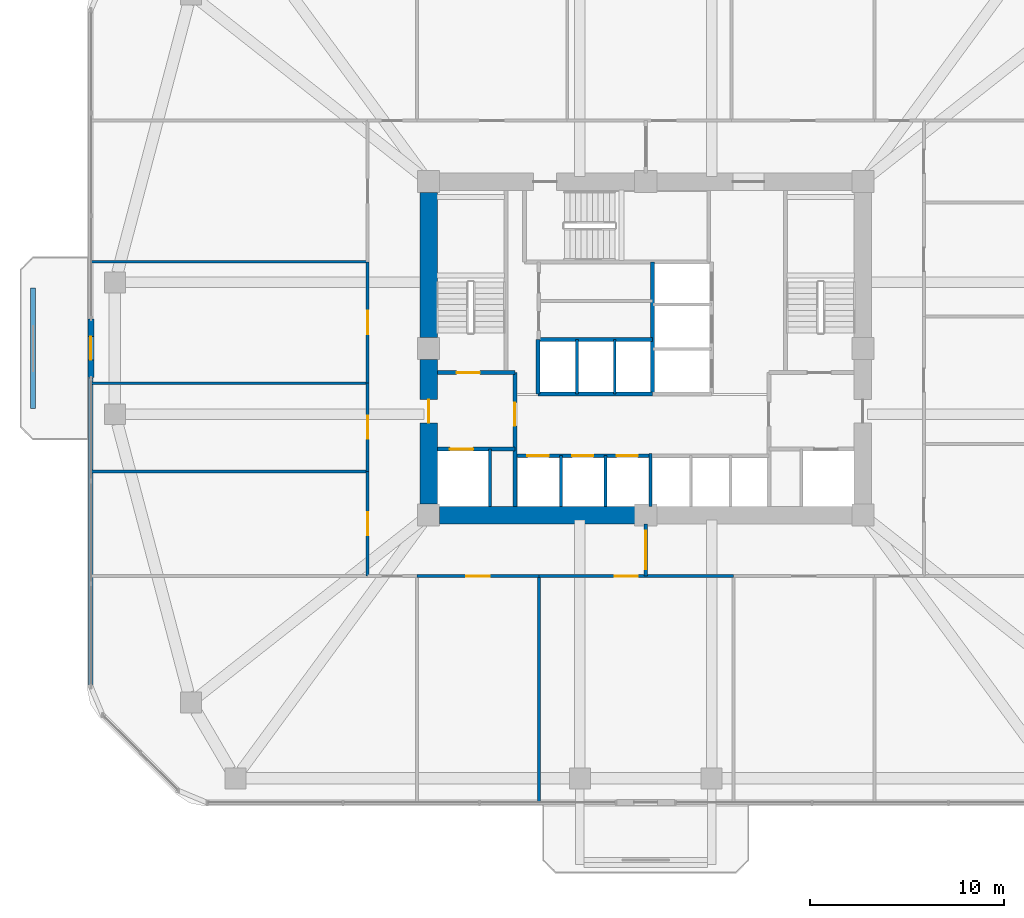
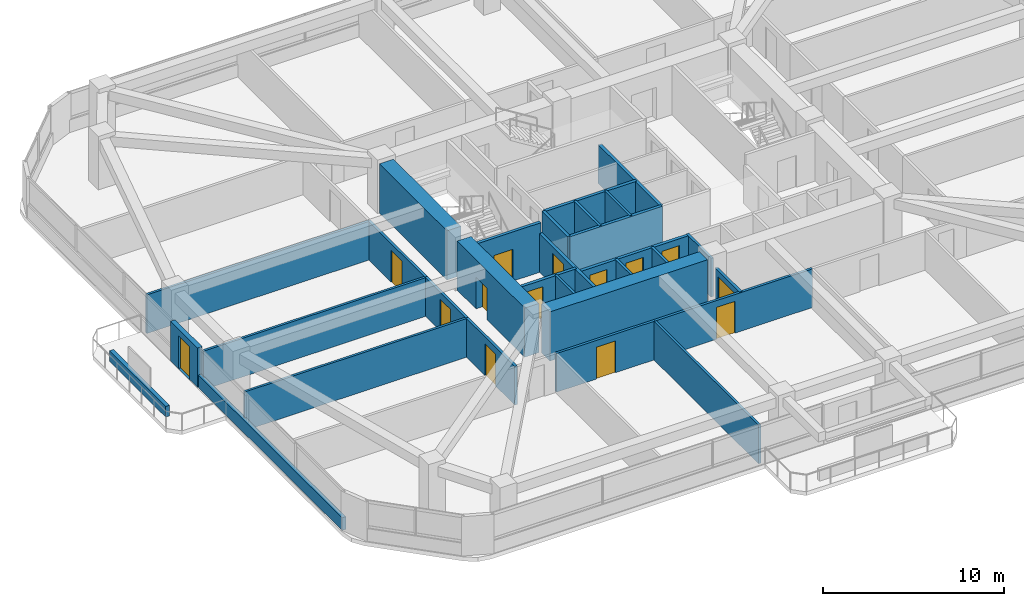
# One storey, part 9 of 13: 30 walls, 14 doors, 14 openings.
"""IFC4 building model written with IfcOpenShell, lengths in metres."""

from ifc_helpers import new_model, si_unit, derived_unit, direction, frame, frame_2d, origin, place, context, subcontext, project, spatial, rectangle, extrude, material, layer, layer_set, type_object, element, fill, save


model = new_model("IFC4")

# Units and contexts
model_context = context("Model", 3, precision=1e-05, world=origin(), true_north=direction((0.0, 1.0)))
body_context = subcontext(model_context, "Body", "Model", "MODEL_VIEW")
ifc_project = project(units=[si_unit("LENGTHUNIT", "METRE"), si_unit("AREAUNIT", "SQUARE_METRE"), si_unit("VOLUMEUNIT", "CUBIC_METRE"), si_unit("PLANEANGLEUNIT", "RADIAN"), si_unit("MASSUNIT", "GRAM", prefix="KILO"), derived_unit("THERMALTRANSMITTANCEUNIT", [(si_unit("POWERUNIT", "WATT"), 1), (si_unit("LENGTHUNIT", "METRE"), -2), (si_unit("THERMODYNAMICTEMPERATUREUNIT", "KELVIN"), -1)])], contexts=[model_context])

# Site, building, storey
site_placement = place(None, origin())
site = spatial("IfcSite", under=ifc_project, at=site_placement, CompositionType="ELEMENT")
building_placement = place(site_placement, origin())
building = spatial("IfcBuilding", under=site, at=building_placement, Name="Koralith Skygarden Medical Center", CompositionType="ELEMENT")
storey_placement = place(building_placement, frame((0.0, 0.0, 63.5400390625)))
storey = spatial("IfcBuildingStorey", under=building, at=storey_placement, Name="L16", CompositionType="ELEMENT", Elevation=63.5400390625)

# Walls
ifc_material_1 = material(Name="Gypsum Board Partition")
ifc_layer_1 = layer(ifc_material_1, 0.14990234375)
ifc_layer_set_1 = layer_set([ifc_layer_1], Name="Gypsum Board Partition")
wall_type_1 = type_object("IfcWallType", Name="Clinical Acoustic Partition 150", PredefinedType="PARTITIONING", material=ifc_layer_set_1)
wall_1_placement = place(storey_placement, frame((31.48388671875, 14.14990234375, 0.0), z_axis=(0.0, 0.0, 1.0), x_axis=(0.0, -1.0, 0.0)))
element("IfcWall", 1, at=wall_1_placement, inside=storey, type_object=wall_type_1, Name="L16 Clinical Acoustic Partition 150 W-PART-L16-S-02", PredefinedType="PARTITIONING", context=body_context, shape_type="SweptSolid", body=[
    extrude(rectangle(XDim=11.64990234375, YDim=0.14990234375, at=frame_2d((5.824951171875, 0.0))), origin(), (0.0, 0.0, 1.0), 2.60986328125),
])
for number, where, z_axis, x_axis, name in (
    (2, (22.64990234375, 19.554931640625, 0.0), (0.0, 0.0, 1.0), (-1.0, 0.0, 0.0), "L16 Clinical Acoustic Partition 150 W-PART-L16-W-01"),
    (3, (22.64990234375, 24.10009765625, 0.0), (0.0, 0.0, 1.0), (-1.0, 0.0, 0.0), "L16 Clinical Acoustic Partition 150 W-PART-L16-W-02"),
    (4, (22.64990234375, 30.364990234375, 0.0), (0.0, 0.0, 1.0), (-1.0, 0.0, 0.0), "L16 Clinical Acoustic Partition 150 W-PART-L16-W-03"),
):
    element("IfcWall", number, at=place(storey_placement, frame(where, z_axis=z_axis, x_axis=x_axis)), inside=storey, type_object=wall_type_1, Name=name, PredefinedType="PARTITIONING", context=body_context, shape_type="SweptSolid", body=[
        extrude(rectangle(XDim=14.25, YDim=0.14990234375, at=frame_2d((7.125, 0.0))), origin(), (0.0, 0.0, 1.0), 2.60986328125),
    ])

# Wall, opening, door
ifc_layer_2 = layer(ifc_material_1, 0.1650390625)
ifc_layer_set_2 = layer_set([ifc_layer_2], Name="Gypsum Board Partition")
wall_type_2 = type_object("IfcWallType", Name="Clinical Corridor Partition 165", PredefinedType="PARTITIONING", material=ifc_layer_set_2)
wall_2_placement = place(storey_placement, frame((25.199951171875, 14.14990234375, 0.0), z_axis=(0.0, 0.0, 1.0), x_axis=(1.0, 0.0, 0.0)))
wall_2 = element("IfcWall", 5, at=wall_2_placement, inside=storey, type_object=wall_type_2, Name="L16 Clinical Corridor Partition 165 W-CORR-L16-S-02", PredefinedType="PARTITIONING", context=body_context, shape_type="SweptSolid", body=[
    extrude(rectangle(XDim=6.283935546875, YDim=0.1650390625, at=frame_2d((3.14208984375, 0.0))), origin(), (0.0, 0.0, 1.0), 2.60986328125),
])
opening_1_placement = place(wall_2_placement, frame((2.5419921875, 0.0, 0.0)))
opening_1 = element("IfcOpeningElement", 6, at=opening_1_placement, cuts=wall_2, Name="Opening D-CLN", PredefinedType="OPENING", context=body_context, shape_type="SweptSolid", body=[
    extrude(rectangle(XDim=1.199951171875, YDim=2.14990234375, at=frame_2d((0.60009765625, 1.074951171875))), frame((0.0, 0.092529296875, 0.0), z_axis=(0.0, -1.0, 0.0), x_axis=(1.0, 0.0, 0.0)), (0.0, 0.0, 1.0), 0.18505859375),
])
ifc_material_2 = material(Name="Aluminium 6063-T6", Category="aluminium")
door_type_1 = type_object("IfcDoorType", Name="Clinical Corridor Door D-CLN 1200", OperationType="NOTDEFINED", PredefinedType="DOOR", material=ifc_material_2)
door_1_placement = place(opening_1_placement, frame((1.199951171875, 0.0, 0.0), z_axis=(0.0, 0.0, 1.0), x_axis=(-1.0, 0.0, 0.0)))
door_1 = element("IfcDoor", 7, at=door_1_placement, inside=storey, type_object=door_type_1, Name="L16 Neuropsychology Testing Office 07 Door", OperationType="SINGLE_SWING_RIGHT", OverallHeight=2.14990234375, OverallWidth=1.199951171875, PredefinedType="DOOR", context=body_context, shape_type="SweptSolid", body=[
    extrude(rectangle(XDim=1.199951171875, YDim=2.14990234375, at=frame_2d((0.60009765625, 1.074951171875))), frame((0.0, 0.02490234375, 0.0), z_axis=(0.0, -1.0, 0.0), x_axis=(1.0, 0.0, 0.0)), (0.0, 0.0, 1.0), 0.050048828125),
])
fill(opening_1, door_1)

wall_3_placement = place(storey_placement, frame((31.48388671875, 14.14990234375, 0.0), z_axis=(0.0, 0.0, 1.0), x_axis=(1.0, 0.0, 0.0)))
wall_3 = element("IfcWall", 8, at=wall_3_placement, inside=storey, type_object=wall_type_2, Name="L16 Clinical Corridor Partition 165 W-CORR-L16-S-03", PredefinedType="PARTITIONING", context=body_context, shape_type="SweptSolid", body=[
    extrude(rectangle(XDim=10.043212890625, YDim=0.1650390625, at=frame_2d((5.021484375, 0.0))), origin(), (0.0, 0.0, 1.0), 2.60986328125),
])
opening_2_placement = place(wall_3_placement, frame((3.910888671875, 0.0, 0.0)))
opening_2 = element("IfcOpeningElement", 9, at=opening_2_placement, cuts=wall_3, Name="Opening D-CLN", PredefinedType="OPENING", context=body_context, shape_type="SweptSolid", body=[
    extrude(rectangle(XDim=1.199951171875, YDim=2.14990234375, at=frame_2d((0.60009765625, 1.074951171875))), frame((0.0, 0.092529296875, 0.0), z_axis=(0.0, -1.0, 0.0), x_axis=(1.0, 0.0, 0.0)), (0.0, 0.0, 1.0), 0.18505859375),
])
door_2_placement = place(opening_2_placement, frame((1.199951171875, 0.0, 0.0), z_axis=(0.0, 0.0, 1.0), x_axis=(-1.0, 0.0, 0.0)))
door_2 = element("IfcDoor", 10, at=door_2_placement, inside=storey, type_object=door_type_1, Name="L16 Patient and Family Sky-Garden Day Lounge 08 Door", OperationType="SINGLE_SWING_LEFT", OverallHeight=2.14990234375, OverallWidth=1.199951171875, PredefinedType="DOOR", context=body_context, shape_type="SweptSolid", body=[
    extrude(rectangle(XDim=1.199951171875, YDim=2.14990234375, at=frame_2d((0.60009765625, 1.074951171875))), frame((0.0, 0.02490234375, 0.0), z_axis=(0.0, -1.0, 0.0), x_axis=(1.0, 0.0, 0.0)), (0.0, 0.0, 1.0), 0.050048828125),
])
fill(opening_2, door_2)

wall_4_placement = place(storey_placement, frame((22.64990234375, 14.14990234375, 0.0), z_axis=(0.0, 0.0, 1.0), x_axis=(0.0, 1.0, 0.0)))
wall_4 = element("IfcWall", 11, at=wall_4_placement, inside=storey, type_object=wall_type_2, Name="L16 Clinical Corridor Partition 165 W-CORR-L16-W-01", PredefinedType="PARTITIONING", context=body_context, shape_type="SweptSolid", body=[
    extrude(rectangle(XDim=5.405029296875, YDim=0.1650390625, at=frame_2d((2.70263671875, 0.0))), origin(), (0.0, 0.0, 1.0), 2.60986328125),
])
opening_3_placement = place(wall_4_placement, frame((2.10205078125, 0.0, 0.0)))
opening_3 = element("IfcOpeningElement", 12, at=opening_3_placement, cuts=wall_4, Name="Opening D-CLN", PredefinedType="OPENING", context=body_context, shape_type="SweptSolid", body=[
    extrude(rectangle(XDim=1.199951171875, YDim=2.14990234375, at=frame_2d((0.60009765625, 1.074951171875))), frame((0.0, 0.092529296875, 0.0), z_axis=(0.0, -1.0, 0.0), x_axis=(1.0, 0.0, 0.0)), (0.0, 0.0, 1.0), 0.18505859375),
])
door_3_placement = place(opening_3_placement, frame((1.199951171875, 0.0, 0.0), z_axis=(0.0, 0.0, 1.0), x_axis=(-1.0, 0.0, 0.0)))
door_3 = element("IfcDoor", 13, at=door_3_placement, inside=storey, type_object=door_type_1, Name="L16 Electromyography Reading Office 11 Door", OperationType="SINGLE_SWING_RIGHT", OverallHeight=2.14990234375, OverallWidth=1.199951171875, PredefinedType="DOOR", context=body_context, shape_type="SweptSolid", body=[
    extrude(rectangle(XDim=1.199951171875, YDim=2.14990234375, at=frame_2d((0.60009765625, 1.074951171875))), frame((0.0, 0.02490234375, 0.0), z_axis=(0.0, -1.0, 0.0), x_axis=(1.0, 0.0, 0.0)), (0.0, 0.0, 1.0), 0.050048828125),
])
fill(opening_3, door_3)

wall_5_placement = place(storey_placement, frame((22.64990234375, 19.554931640625, 0.0), z_axis=(0.0, 0.0, 1.0), x_axis=(0.0, 1.0, 0.0)))
wall_5 = element("IfcWall", 14, at=wall_5_placement, inside=storey, type_object=wall_type_2, Name="L16 Clinical Corridor Partition 165 W-CORR-L16-W-02", PredefinedType="PARTITIONING", context=body_context, shape_type="SweptSolid", body=[
    extrude(rectangle(XDim=4.545166015625, YDim=0.1650390625, at=frame_2d((2.2724609375, 0.0))), origin(), (0.0, 0.0, 1.0), 2.60986328125),
])
opening_4_placement = place(wall_5_placement, frame((1.673095703125, 0.0, 0.0)))
opening_4 = element("IfcOpeningElement", 15, at=opening_4_placement, cuts=wall_5, Name="Opening D-CLN", PredefinedType="OPENING", context=body_context, shape_type="SweptSolid", body=[
    extrude(rectangle(XDim=1.199951171875, YDim=2.14990234375, at=frame_2d((0.60009765625, 1.074951171875))), frame((0.0, 0.092529296875, 0.0), z_axis=(0.0, -1.0, 0.0), x_axis=(1.0, 0.0, 0.0)), (0.0, 0.0, 1.0), 0.18505859375),
])
door_4_placement = place(opening_4_placement, frame((1.199951171875, 0.0, 0.0), z_axis=(0.0, 0.0, 1.0), x_axis=(-1.0, 0.0, 0.0)))
door_4 = element("IfcDoor", 16, at=door_4_placement, inside=storey, type_object=door_type_1, Name="L16 Neuropsychology Testing Office 12 Door", OperationType="SINGLE_SWING_LEFT", OverallHeight=2.14990234375, OverallWidth=1.199951171875, PredefinedType="DOOR", context=body_context, shape_type="SweptSolid", body=[
    extrude(rectangle(XDim=1.199951171875, YDim=2.14990234375, at=frame_2d((0.60009765625, 1.074951171875))), frame((0.0, 0.02490234375, 0.0), z_axis=(0.0, -1.0, 0.0), x_axis=(1.0, 0.0, 0.0)), (0.0, 0.0, 1.0), 0.050048828125),
])
fill(opening_4, door_4)

wall_6_placement = place(storey_placement, frame((22.64990234375, 24.10009765625, 0.0), z_axis=(0.0, 0.0, 1.0), x_axis=(0.0, 1.0, 0.0)))
wall_6 = element("IfcWall", 17, at=wall_6_placement, inside=storey, type_object=wall_type_2, Name="L16 Clinical Corridor Partition 165 W-CORR-L16-W-03", PredefinedType="PARTITIONING", context=body_context, shape_type="SweptSolid", body=[
    extrude(rectangle(XDim=6.264892578125, YDim=0.1650390625, at=frame_2d((3.13232421875, 0.0))), origin(), (0.0, 0.0, 1.0), 2.60986328125),
])
opening_5_placement = place(wall_6_placement, frame((2.531982421875, 0.0, 0.0)))
opening_5 = element("IfcOpeningElement", 18, at=opening_5_placement, cuts=wall_6, Name="Opening D-CLN", PredefinedType="OPENING", context=body_context, shape_type="SweptSolid", body=[
    extrude(rectangle(XDim=1.199951171875, YDim=2.14990234375, at=frame_2d((0.60009765625, 1.074951171875))), frame((0.0, 0.092529296875, 0.0), z_axis=(0.0, -1.0, 0.0), x_axis=(1.0, 0.0, 0.0)), (0.0, 0.0, 1.0), 0.18505859375),
])
door_5_placement = place(opening_5_placement, frame((1.199951171875, 0.0, 0.0), z_axis=(0.0, 0.0, 1.0), x_axis=(-1.0, 0.0, 0.0)))
door_5 = element("IfcDoor", 19, at=door_5_placement, inside=storey, type_object=door_type_1, Name="L16 Patient and Family Sky-Garden Day Lounge 13 Door", OperationType="SINGLE_SWING_RIGHT", OverallHeight=2.14990234375, OverallWidth=1.199951171875, PredefinedType="DOOR", context=body_context, shape_type="SweptSolid", body=[
    extrude(rectangle(XDim=1.199951171875, YDim=2.14990234375, at=frame_2d((0.60009765625, 1.074951171875))), frame((0.0, 0.02490234375, 0.0), z_axis=(0.0, -1.0, 0.0), x_axis=(1.0, 0.0, 0.0)), (0.0, 0.0, 1.0), 0.050048828125),
])
fill(opening_5, door_5)

ifc_layer_3 = layer(ifc_material_1, 0.199951171875)
ifc_layer_set_3 = layer_set([ifc_layer_3], Name="Gypsum Board Partition")
wall_type_3 = type_object("IfcWallType", Name="Fire Shaft Wall 200", PredefinedType="SOLIDWALL", material=ifc_layer_set_3)
wall_7_placement = place(storey_placement, frame((26.25, 20.699951171875, 0.0), z_axis=(0.0, 0.0, 1.0), x_axis=(1.0, 0.0, 0.0)))
wall_7 = element("IfcWall", 20, at=wall_7_placement, inside=storey, type_object=wall_type_3, Name="L16 Fire Shaft Wall 200 W-CORE-L16-FF1-N", PredefinedType="SOLIDWALL", context=body_context, shape_type="SweptSolid", body=[
    extrude(rectangle(XDim=4.0, YDim=0.199951171875, at=frame_2d((2.0, 0.0))), origin(), (0.0, 0.0, 1.0), 2.60986328125),
])
opening_6_placement = place(wall_7_placement, frame((0.64990234375, 0.0, 0.0)))
opening_6 = element("IfcOpeningElement", 21, at=opening_6_placement, cuts=wall_7, Name="Opening LD-FF", PredefinedType="OPENING", context=body_context, shape_type="SweptSolid", body=[
    extrude(rectangle(XDim=1.199951171875, YDim=2.14990234375, at=frame_2d((0.60009765625, 1.074951171875))), frame((0.0, 0.10986328125, 0.0), z_axis=(0.0, -1.0, 0.0), x_axis=(1.0, 0.0, 0.0)), (0.0, 0.0, 1.0), 0.219970703125),
])
ifc_material_3 = material(Name="Steel ASTM A500 Grade C", Category="steel")
door_type_2 = type_object("IfcDoorType", Name="Fire Lift Sliding Landing Door LD-FF 1200", OperationType="NOTDEFINED", PredefinedType="DOOR", material=ifc_material_3)
door_6_placement = place(opening_6_placement, origin())
door_6 = element("IfcDoor", 22, at=door_6_placement, inside=storey, type_object=door_type_2, Name="L16 Fire Service Elevator FF1 Landing Door", OperationType="SLIDING_TO_LEFT", OverallHeight=2.14990234375, OverallWidth=1.199951171875, PredefinedType="DOOR", context=body_context, shape_type="SweptSolid", body=[
    extrude(rectangle(XDim=1.199951171875, YDim=2.14990234375, at=frame_2d((0.60009765625, 1.074951171875))), frame((0.0, 0.02490234375, 0.0), z_axis=(0.0, -1.0, 0.0), x_axis=(1.0, 0.0, 0.0)), (0.0, 0.0, 1.0), 0.050048828125),
])
fill(opening_6, door_6)

wall_8_placement = place(storey_placement, frame((30.25, 17.75, 0.0), z_axis=(0.0, 0.0, 1.0), x_axis=(0.0, 1.0, 0.0)))
wall_8 = element("IfcWall", 23, at=wall_8_placement, inside=storey, type_object=wall_type_3, Name="L16 Fire Shaft Wall 200 W-CORE-L16-FSAEW-E", PredefinedType="SOLIDWALL", context=body_context, shape_type="SweptSolid", body=[
    extrude(rectangle(XDim=6.89990234375, YDim=0.199951171875, at=frame_2d((3.449951171875, 0.0))), origin(), (0.0, 0.0, 1.0), 2.60986328125),
])
opening_7_placement = place(wall_8_placement, frame((4.14990234375, 0.0, 0.0)))
opening_7 = element("IfcOpeningElement", 24, at=opening_7_placement, cuts=wall_8, Name="Opening D-ST60", PredefinedType="OPENING", context=body_context, shape_type="SweptSolid", body=[
    extrude(rectangle(XDim=1.199951171875, YDim=2.14990234375, at=frame_2d((0.60009765625, 1.074951171875))), frame((0.0, 0.10986328125, 0.0), z_axis=(0.0, -1.0, 0.0), x_axis=(1.0, 0.0, 0.0)), (0.0, 0.0, 1.0), 0.219970703125),
])
door_type_3 = type_object("IfcDoorType", Name="Smokeproof Stair Fire Door FD60S 1200", OperationType="NOTDEFINED", PredefinedType="DOOR", material=ifc_material_3)
door_7_placement = place(opening_7_placement, origin())
door_7 = element("IfcDoor", 25, at=door_7_placement, inside=storey, type_object=door_type_3, Name="L16 West Firefighting Lobby Inner Fire Door", OperationType="SINGLE_SWING_LEFT", OverallHeight=2.14990234375, OverallWidth=1.199951171875, PredefinedType="DOOR", context=body_context, shape_type="SweptSolid", body=[
    extrude(rectangle(XDim=1.199951171875, YDim=2.14990234375, at=frame_2d((0.60009765625, 1.074951171875))), frame((0.0, 0.02490234375, 0.0), z_axis=(0.0, -1.0, 0.0), x_axis=(1.0, 0.0, 0.0)), (0.0, 0.0, 1.0), 0.050048828125),
])
fill(opening_7, door_7)

# Wall, openings, doors
wall_9_placement = place(storey_placement, frame((30.25, 20.360107421875, 0.0), z_axis=(0.0, 0.0, 1.0), x_axis=(1.0, 0.0, 0.0)))
wall_9 = element("IfcWall", 26, at=wall_9_placement, inside=storey, type_object=wall_type_3, Name="L16 Fire Shaft Wall 200 W-CORE-L16-PL-N", PredefinedType="SOLIDWALL", context=body_context, shape_type="SweptSolid", body=[
    extrude(rectangle(XDim=7.0, YDim=0.199951171875, at=frame_2d((3.5, 0.0))), origin(), (0.0, 0.0, 1.0), 2.60986328125),
])
opening_8_placement = place(wall_9_placement, frame((0.64990234375, 0.0, 0.0)))
opening_8 = element("IfcOpeningElement", 27, at=opening_8_placement, cuts=wall_9, Name="Opening LD-P", PredefinedType="OPENING", context=body_context, shape_type="SweptSolid", body=[
    extrude(rectangle(XDim=1.10009765625, YDim=2.14990234375, at=frame_2d((0.550048828125, 1.074951171875))), frame((0.0, 0.10986328125, 0.0), z_axis=(0.0, -1.0, 0.0), x_axis=(1.0, 0.0, 0.0)), (0.0, 0.0, 1.0), 0.219970703125),
])
opening_9_placement = place(wall_9_placement, frame((2.949951171875, 0.0, 0.0)))
opening_9 = element("IfcOpeningElement", 28, at=opening_9_placement, cuts=wall_9, Name="Opening LD-P", PredefinedType="OPENING", context=body_context, shape_type="SweptSolid", body=[
    extrude(rectangle(XDim=1.10009765625, YDim=2.14990234375, at=frame_2d((0.550048828125, 1.074951171875))), frame((0.0, 0.10986328125, 0.0), z_axis=(0.0, -1.0, 0.0), x_axis=(1.0, 0.0, 0.0)), (0.0, 0.0, 1.0), 0.219970703125),
])
opening_10_placement = place(wall_9_placement, frame((5.25, 0.0, 0.0)))
opening_10 = element("IfcOpeningElement", 29, at=opening_10_placement, cuts=wall_9, Name="Opening LD-P", PredefinedType="OPENING", context=body_context, shape_type="SweptSolid", body=[
    extrude(rectangle(XDim=1.10009765625, YDim=2.14990234375, at=frame_2d((0.550048828125, 1.074951171875))), frame((0.0, 0.10986328125, 0.0), z_axis=(0.0, -1.0, 0.0), x_axis=(1.0, 0.0, 0.0)), (0.0, 0.0, 1.0), 0.219970703125),
])
door_type_4 = type_object("IfcDoorType", Name="Passenger Lift Sliding Landing Door LD-P 1100", OperationType="NOTDEFINED", PredefinedType="DOOR", material=ifc_material_3)
door_8_placement = place(opening_8_placement, origin())
door_8 = element("IfcDoor", 30, at=door_8_placement, inside=storey, type_object=door_type_4, Name="L16 Passenger Elevator PL1 Landing Door", OperationType="SLIDING_TO_LEFT", OverallHeight=2.14990234375, OverallWidth=1.10009765625, PredefinedType="DOOR", context=body_context, shape_type="SweptSolid", body=[
    extrude(rectangle(XDim=1.10009765625, YDim=2.14990234375, at=frame_2d((0.550048828125, 1.074951171875))), frame((0.0, 0.02490234375, 0.0), z_axis=(0.0, -1.0, 0.0), x_axis=(1.0, 0.0, 0.0)), (0.0, 0.0, 1.0), 0.050048828125),
])
fill(opening_8, door_8)
door_9_placement = place(opening_9_placement, origin())
door_9 = element("IfcDoor", 31, at=door_9_placement, inside=storey, type_object=door_type_4, Name="L16 Passenger Elevator PL2 Landing Door", OperationType="SLIDING_TO_LEFT", OverallHeight=2.14990234375, OverallWidth=1.10009765625, PredefinedType="DOOR", context=body_context, shape_type="SweptSolid", body=[
    extrude(rectangle(XDim=1.10009765625, YDim=2.14990234375, at=frame_2d((0.550048828125, 1.074951171875))), frame((0.0, 0.02490234375, 0.0), z_axis=(0.0, -1.0, 0.0), x_axis=(1.0, 0.0, 0.0)), (0.0, 0.0, 1.0), 0.050048828125),
])
fill(opening_9, door_9)
door_10_placement = place(opening_10_placement, origin())
door_10 = element("IfcDoor", 32, at=door_10_placement, inside=storey, type_object=door_type_4, Name="L16 Passenger Elevator PL3 Landing Door", OperationType="SLIDING_TO_LEFT", OverallHeight=2.14990234375, OverallWidth=1.10009765625, PredefinedType="DOOR", context=body_context, shape_type="SweptSolid", body=[
    extrude(rectangle(XDim=1.10009765625, YDim=2.14990234375, at=frame_2d((0.550048828125, 1.074951171875))), frame((0.0, 0.02490234375, 0.0), z_axis=(0.0, -1.0, 0.0), x_axis=(1.0, 0.0, 0.0)), (0.0, 0.0, 1.0), 0.050048828125),
])
fill(opening_10, door_10)

# Walls
for number, where, z_axis, x_axis, name in (
    (33, (31.449951171875, 23.5400390625, 0.0), (0.0, 0.0, 1.0), (1.0, 0.0, 0.0), "L16 Fire Shaft Wall 200 W-CORE-L16-PH-S"),
    (34, (31.449951171875, 26.35009765625, 0.0), (0.0, 0.0, 1.0), (1.0, 0.0, 0.0), "L16 Fire Shaft Wall 200 W-CORE-L16-PH-N"),
):
    element("IfcWall", number, at=place(storey_placement, frame(where, z_axis=z_axis, x_axis=x_axis)), inside=storey, type_object=wall_type_3, Name=name, PredefinedType="SOLIDWALL", context=body_context, shape_type="SweptSolid", body=[
        extrude(rectangle(XDim=5.900146484375, YDim=0.199951171875, at=frame_2d((2.9501953125, 0.0))), origin(), (0.0, 0.0, 1.0), 2.60986328125),
    ])
wall_10_placement = place(storey_placement, frame((31.449951171875, 23.5400390625, 0.0), z_axis=(0.0, 0.0, 1.0), x_axis=(0.0, 1.0, 0.0)))
element("IfcWall", 35, at=wall_10_placement, inside=storey, type_object=wall_type_3, Name="L16 Fire Shaft Wall 200 W-CORE-L16-PH-W", PredefinedType="SOLIDWALL", context=body_context, shape_type="SweptSolid", body=[
    extrude(rectangle(XDim=2.81005859375, YDim=0.199951171875, at=frame_2d((1.405029296875, 0.0))), origin(), (0.0, 0.0, 1.0), 2.60986328125),
])
wall_11_placement = place(storey_placement, frame((37.35009765625, 23.5400390625, 0.0), z_axis=(0.0, 0.0, 1.0), x_axis=(0.0, 1.0, 0.0)))
element("IfcWall", 36, at=wall_11_placement, inside=storey, type_object=wall_type_3, Name="L16 Fire Shaft Wall 200 W-CORE-L16-SV-W", PredefinedType="SOLIDWALL", context=body_context, shape_type="SweptSolid", body=[
    extrude(rectangle(XDim=6.820068359375, YDim=0.199951171875, at=frame_2d((3.41015625, 0.0))), origin(), (0.0, 0.0, 1.0), 2.60986328125),
])

# Wall, opening, door
ifc_layer_4 = layer(ifc_material_1, 0.179931640625)
ifc_layer_set_4 = layer_set([ifc_layer_4], Name="Gypsum Board Partition")
wall_type_4 = type_object("IfcWallType", Name="Group I-2 Smoke Barrier Wall 180", PredefinedType="PARTITIONING", material=ifc_layer_set_4)
wall_12_placement = place(storey_placement, frame((37.0, 14.14990234375, 0.0), z_axis=(0.0, 0.0, 1.0), x_axis=(0.0, 1.0, 0.0)))
wall_12 = element("IfcWall", 37, at=wall_12_placement, inside=storey, type_object=wall_type_4, Name="L16 Group I-2 Smoke Barrier Wall 180 W-SMK-L16-S", PredefinedType="PARTITIONING", context=body_context, shape_type="SweptSolid", body=[
    extrude(rectangle(XDim=2.7001953125, YDim=0.179931640625, at=frame_2d((1.35009765625, 0.0))), origin(), (0.0, 0.0, 1.0), 2.60986328125),
])
opening_11_placement = place(wall_12_placement, frame((0.35009765625, 0.0, 0.0)))
opening_11 = element("IfcOpeningElement", 38, at=opening_11_placement, cuts=wall_12, Name="Opening D-SMK", PredefinedType="OPENING", context=body_context, shape_type="SweptSolid", body=[
    extrude(rectangle(XDim=2.0, YDim=2.199951171875, at=frame_2d((1.0, 1.10009765625))), frame((0.0, 0.099853515625, 0.0), z_axis=(0.0, -1.0, 0.0), x_axis=(1.0, 0.0, 0.0)), (0.0, 0.0, 1.0), 0.199951171875),
])
door_type_5 = type_object("IfcDoorType", Name="Cross-Corridor Double Smoke Door FD60S 2000", OperationType="NOTDEFINED", PredefinedType="DOOR", material=ifc_material_3)
door_11_placement = place(opening_11_placement, frame((2.0, 0.0, 0.0), z_axis=(0.0, 0.0, 1.0), x_axis=(-1.0, 0.0, 0.0)))
door_11 = element("IfcDoor", 39, at=door_11_placement, inside=storey, type_object=door_type_5, Name="L16 S Smoke Compartment Cross-Corridor Door", OperationType="DOUBLE_DOOR_SINGLE_SWING", OverallHeight=2.199951171875, OverallWidth=2.0, PredefinedType="DOOR", context=body_context, shape_type="SweptSolid", body=[
    extrude(rectangle(XDim=2.0, YDim=2.199951171875, at=frame_2d((1.0, 1.10009765625))), frame((0.0, 0.02490234375, 0.0), z_axis=(0.0, -1.0, 0.0), x_axis=(1.0, 0.0, 0.0)), (0.0, 0.0, 1.0), 0.050048828125),
])
fill(opening_11, door_11)

# Walls
ifc_material_4 = material(Name="Warm Oolitic Limestone Cladding", Category="masonry")
ifc_layer_5 = layer(ifc_material_4, 0.239990234375)
ifc_layer_set_5 = layer_set([ifc_layer_5], Name="Warm Oolitic Limestone Cladding")
wall_type_5 = type_object("IfcWallType", Name="Limestone Spandrel Sill Backup Wall 240", PredefinedType="SOLIDWALL", material=ifc_layer_set_5)
wall_13_placement = place(storey_placement, frame((8.3798828125, 24.360107421875, 0.0), z_axis=(0.0, 0.0, 1.0), x_axis=(0.0, -1.0, 0.0)))
element("IfcWall", 40, at=wall_13_placement, inside=storey, type_object=wall_type_5, Name="L16 Sill Spandrel W-R", PredefinedType="SOLIDWALL", context=body_context, shape_type="SweptSolid", body=[
    extrude(rectangle(XDim=15.905029296875, YDim=0.239990234375, at=frame_2d((7.95263671875, 0.0))), origin(), (0.0, 0.0, 1.0), 0.849853515625),
])
ifc_material_5 = material(Name="Concrete C70/85", Category="concrete")
ifc_layer_6 = layer(ifc_material_5, 0.89990234375)
ifc_layer_set_6 = layer_set([ifc_layer_6], Name="Concrete C70/85")
wall_type_6 = type_object("IfcWallType", Name="Lower Core Shear Wall 900", PredefinedType="SHEAR", material=ifc_layer_set_6)
wall_14_placement = place(storey_placement, frame((26.364990234375, 17.300048828125, 0.0), z_axis=(0.0, 0.0, 1.0), x_axis=(1.0, 0.0, 0.0)))
element("IfcWall", 41, at=wall_14_placement, inside=storey, type_object=wall_type_6, Name="L16 Core Shear Wall Segment 1", PredefinedType="SHEAR", context=body_context, shape_type="SweptSolid", body=[
    extrude(rectangle(XDim=10.070068359375, YDim=0.89990234375, at=frame_2d((5.03515625, 0.0))), origin(), (0.0, 0.0, 1.0), 3.320068359375),
])
wall_15_placement = place(storey_placement, frame((25.800048828125, 33.93505859375, 0.0), z_axis=(0.0, 0.0, 1.0), x_axis=(0.0, -1.0, 0.0)))
element("IfcWall", 42, at=wall_15_placement, inside=storey, type_object=wall_type_6, Name="L16 Core Shear Wall Segment 7", PredefinedType="SHEAR", context=body_context, shape_type="SweptSolid", body=[
    extrude(rectangle(XDim=7.469970703125, YDim=0.89990234375, at=frame_2d((3.73486328125, 0.0))), origin(), (0.0, 0.0, 1.0), 3.320068359375),
])

# Wall, opening, door
wall_16_placement = place(storey_placement, frame((25.800048828125, 25.3349609375, 0.0), z_axis=(0.0, 0.0, 1.0), x_axis=(0.0, -1.0, 0.0)))
wall_16 = element("IfcWall", 43, at=wall_16_placement, inside=storey, type_object=wall_type_6, Name="L16 Core Shear Wall Segment 8", PredefinedType="SHEAR", context=body_context, shape_type="SweptSolid", body=[
    extrude(rectangle(XDim=7.469970703125, YDim=0.89990234375, at=frame_2d((3.73486328125, 0.0))), origin(), (0.0, 0.0, 1.0), 3.320068359375),
])
opening_12_placement = place(wall_16_placement, frame((2.0849609375, 0.0, 0.0)))
opening_12 = element("IfcOpeningElement", 44, at=opening_12_placement, cuts=wall_16, Name="Opening D-ST60", PredefinedType="OPENING", context=body_context, shape_type="SweptSolid", body=[
    extrude(rectangle(XDim=1.199951171875, YDim=2.14990234375, at=frame_2d((0.60009765625, 1.074951171875))), frame((0.0, 0.4599609375, 0.0), z_axis=(0.0, -1.0, 0.0), x_axis=(1.0, 0.0, 0.0)), (0.0, 0.0, 1.0), 0.919921875),
])
door_12_placement = place(opening_12_placement, frame((1.199951171875, 0.0, 0.0), z_axis=(0.0, 0.0, 1.0), x_axis=(-1.0, 0.0, 0.0)))
door_12 = element("IfcDoor", 45, at=door_12_placement, inside=storey, type_object=door_type_3, Name="L16 West Corridor to Firefighting Lobby Door", OperationType="SINGLE_SWING_LEFT", OverallHeight=2.14990234375, OverallWidth=1.199951171875, PredefinedType="DOOR", context=body_context, shape_type="SweptSolid", body=[
    extrude(rectangle(XDim=1.199951171875, YDim=2.14990234375, at=frame_2d((0.60009765625, 1.074951171875))), frame((0.0, 0.02490234375, 0.0), z_axis=(0.0, -1.0, 0.0), x_axis=(1.0, 0.0, 0.0)), (0.0, 0.0, 1.0), 0.050048828125),
])
fill(opening_12, door_12)

ifc_layer_7 = layer(ifc_material_4, 0.300048828125)
ifc_layer_set_7 = layer_set([ifc_layer_7], Name="Warm Oolitic Limestone Cladding")
wall_type_7 = type_object("IfcWallType", Name="Oolitic Limestone Insulated Facade Wall 300", PredefinedType="SOLIDWALL", material=ifc_layer_set_7)
wall_17_placement = place(storey_placement, frame((8.3798828125, 27.39990234375, 0.0), z_axis=(0.0, 0.0, 1.0), x_axis=(0.0, -1.0, 0.0)))
wall_17 = element("IfcWall", 46, at=wall_17_placement, inside=storey, type_object=wall_type_7, Name="L16 Terrace Portal Wall W", PredefinedType="SOLIDWALL", context=body_context, shape_type="SweptSolid", body=[
    extrude(rectangle(XDim=3.0, YDim=0.300048828125, at=frame_2d((1.5, 0.0))), origin(), (0.0, 0.0, 1.0), 2.64990234375),
])
opening_13_placement = place(wall_17_placement, frame((0.89990234375, 0.0, 0.0)))
opening_13 = element("IfcOpeningElement", 47, at=opening_13_placement, cuts=wall_17, Name="Opening D-BAL", PredefinedType="OPENING", context=body_context, shape_type="SweptSolid", body=[
    extrude(rectangle(XDim=1.199951171875, YDim=2.199951171875, at=frame_2d((0.60009765625, 1.10009765625))), frame((0.0, 0.159912109375, 0.0), z_axis=(0.0, -1.0, 0.0), x_axis=(1.0, 0.0, 0.0)), (0.0, 0.0, 1.0), 0.320068359375),
])
door_type_6 = type_object("IfcDoorType", Name="Planted Balcony Glazed Terrace Door D-BAL 1200", OperationType="NOTDEFINED", PredefinedType="DOOR", material=ifc_material_2)
door_13_placement = place(opening_13_placement, origin())
door_13 = element("IfcDoor", 48, at=door_13_placement, inside=storey, type_object=door_type_6, Name="L16 W Outdoor Terrace Access Door", OperationType="SINGLE_SWING_LEFT", OverallHeight=2.199951171875, OverallWidth=1.199951171875, PredefinedType="DOOR", context=body_context, shape_type="SweptSolid", body=[
    extrude(rectangle(XDim=1.199951171875, YDim=2.199951171875, at=frame_2d((0.60009765625, 1.10009765625))), frame((0.0, 0.02490234375, 0.0), z_axis=(0.0, -1.0, 0.0), x_axis=(1.0, 0.0, 0.0)), (0.0, 0.0, 1.0), 0.050048828125),
])
fill(opening_13, door_13)

# Walls
ifc_layer_8 = layer(ifc_material_1, 0.14990234375)
ifc_layer_set_8 = layer_set([ifc_layer_8], Name="Gypsum Board Partition")
wall_type_8 = type_object("IfcWallType", Name="Shaft Partition Wall 150", PredefinedType="PARTITIONING", material=ifc_layer_set_8)
wall_18_placement = place(storey_placement, frame((28.969970703125, 17.75, 0.0), z_axis=(0.0, 0.0, 1.0), x_axis=(0.0, 1.0, 0.0)))
element("IfcWall", 49, at=wall_18_placement, inside=storey, type_object=wall_type_8, Name="L16 Shaft Partition Wall 150 W-CORE-L16-RSRW-DIV", PredefinedType="PARTITIONING", context=body_context, shape_type="SweptSolid", body=[
    extrude(rectangle(XDim=2.949951171875, YDim=0.14990234375, at=frame_2d((1.47509765625, 0.0))), origin(), (0.0, 0.0, 1.0), 2.60986328125),
])
for number, where, z_axis, x_axis, name in (
    (50, (32.6201171875, 17.75, 0.0), (0.0, 0.0, 1.0), (0.0, 1.0, 0.0), "L16 Shaft Partition Wall 150 W-CORE-L16-PL-D1"),
    (51, (34.919921875, 17.75, 0.0), (0.0, 0.0, 1.0), (0.0, 1.0, 0.0), "L16 Shaft Partition Wall 150 W-CORE-L16-PL-D2"),
):
    element("IfcWall", number, at=place(storey_placement, frame(where, z_axis=z_axis, x_axis=x_axis)), inside=storey, type_object=wall_type_8, Name=name, PredefinedType="PARTITIONING", context=body_context, shape_type="SweptSolid", body=[
        extrude(rectangle(XDim=2.610107421875, YDim=0.14990234375, at=frame_2d((1.30517578125, 0.0))), origin(), (0.0, 0.0, 1.0), 2.60986328125),
    ])
wall_19_placement = place(storey_placement, frame((37.25, 17.75, 0.0), z_axis=(0.0, 0.0, 1.0), x_axis=(0.0, 1.0, 0.0)))
element("IfcWall", 52, at=wall_19_placement, inside=storey, type_object=wall_type_8, Name="L16 Shaft Partition Wall 150 W-CORE-L16-PL-PM-SEP", PredefinedType="PARTITIONING", context=body_context, shape_type="SweptSolid", body=[
    extrude(rectangle(XDim=2.72998046875, YDim=0.14990234375, at=frame_2d((1.364990234375, 0.0))), origin(), (0.0, 0.0, 1.0), 2.60986328125),
])
for number, where, z_axis, x_axis, name in (
    (53, (33.449951171875, 23.5400390625, 0.0), (0.0, 0.0, 1.0), (0.0, 1.0, 0.0), "L16 Shaft Partition Wall 150 W-CORE-L16-PH-D1"),
    (54, (35.39990234375, 23.5400390625, 0.0), (0.0, 0.0, 1.0), (0.0, 1.0, 0.0), "L16 Shaft Partition Wall 150 W-CORE-L16-PH-D2"),
):
    element("IfcWall", number, at=place(storey_placement, frame(where, z_axis=z_axis, x_axis=x_axis)), inside=storey, type_object=wall_type_8, Name=name, PredefinedType="PARTITIONING", context=body_context, shape_type="SweptSolid", body=[
        extrude(rectangle(XDim=2.81005859375, YDim=0.14990234375, at=frame_2d((1.405029296875, 0.0))), origin(), (0.0, 0.0, 1.0), 2.60986328125),
    ])
ifc_material_6 = material(Name="Precast concrete C40/50", Category="concrete")
ifc_layer_9 = layer(ifc_material_6, 0.25)
ifc_layer_set_9 = layer_set([ifc_layer_9], Name="Precast concrete C40/50")
wall_type_9 = type_object("IfcWallType", Name="Structural Concrete Balcony Planter Kerb 250", PredefinedType="PARAPET", material=ifc_layer_set_9)
wall_20_placement = place(storey_placement, frame((5.39990234375, 22.800048828125, 0.0), z_axis=(0.0, 0.0, 1.0), x_axis=(0.0, 1.0, 0.0)))
element("IfcWall", 55, at=wall_20_placement, inside=storey, type_object=wall_type_9, Name="L16 W Structural Tree PLANTER Box", PredefinedType="PARAPET", context=body_context, shape_type="SweptSolid", body=[
    extrude(rectangle(XDim=6.199951171875, YDim=0.25, at=frame_2d((3.10009765625, 0.0))), origin(), (0.0, 0.0, 1.0), 0.719970703125),
])

# Wall, opening, door
ifc_material_7 = material(Name="Concrete C45/55", Category="concrete")
ifc_layer_10 = layer(ifc_material_7, 0.199951171875)
ifc_layer_set_10 = layer_set([ifc_layer_10], Name="Concrete C45/55")
wall_type_10 = type_object("IfcWallType", Name="Structural Stair Shaft Wall 200", PredefinedType="SHEAR", material=ifc_layer_set_10)
wall_21_placement = place(storey_placement, frame((26.25, 24.64990234375, 0.0), z_axis=(0.0, 0.0, 1.0), x_axis=(1.0, 0.0, 0.0)))
wall_21 = element("IfcWall", 56, at=wall_21_placement, inside=storey, type_object=wall_type_10, Name="L16 Structural Stair Shaft Wall 200 W-CORE-L16-ST1-S", PredefinedType="SHEAR", context=body_context, shape_type="SweptSolid", body=[
    extrude(rectangle(XDim=4.0, YDim=0.199951171875, at=frame_2d((2.0, 0.0))), origin(), (0.0, 0.0, 1.0), 3.320068359375),
])
opening_14_placement = place(wall_21_placement, frame((1.0, 0.0, 0.0)))
opening_14 = element("IfcOpeningElement", 57, at=opening_14_placement, cuts=wall_21, Name="Opening D-ST60", PredefinedType="OPENING", context=body_context, shape_type="SweptSolid", body=[
    extrude(rectangle(XDim=1.199951171875, YDim=2.14990234375, at=frame_2d((0.60009765625, 1.074951171875))), frame((0.0, 0.10986328125, 0.0), z_axis=(0.0, -1.0, 0.0), x_axis=(1.0, 0.0, 0.0)), (0.0, 0.0, 1.0), 0.219970703125),
])
door_14_placement = place(opening_14_placement, origin())
door_14 = element("IfcDoor", 58, at=door_14_placement, inside=storey, type_object=door_type_3, Name="L16 Exit Stair ST1 Fire Door", OperationType="SINGLE_SWING_LEFT", OverallHeight=2.14990234375, OverallWidth=1.199951171875, PredefinedType="DOOR", context=body_context, shape_type="SweptSolid", body=[
    extrude(rectangle(XDim=1.199951171875, YDim=2.14990234375, at=frame_2d((0.60009765625, 1.074951171875))), frame((0.0, 0.02490234375, 0.0), z_axis=(0.0, -1.0, 0.0), x_axis=(1.0, 0.0, 0.0)), (0.0, 0.0, 1.0), 0.050048828125),
])
fill(opening_14, door_14)

save(model, "model.ifc")
